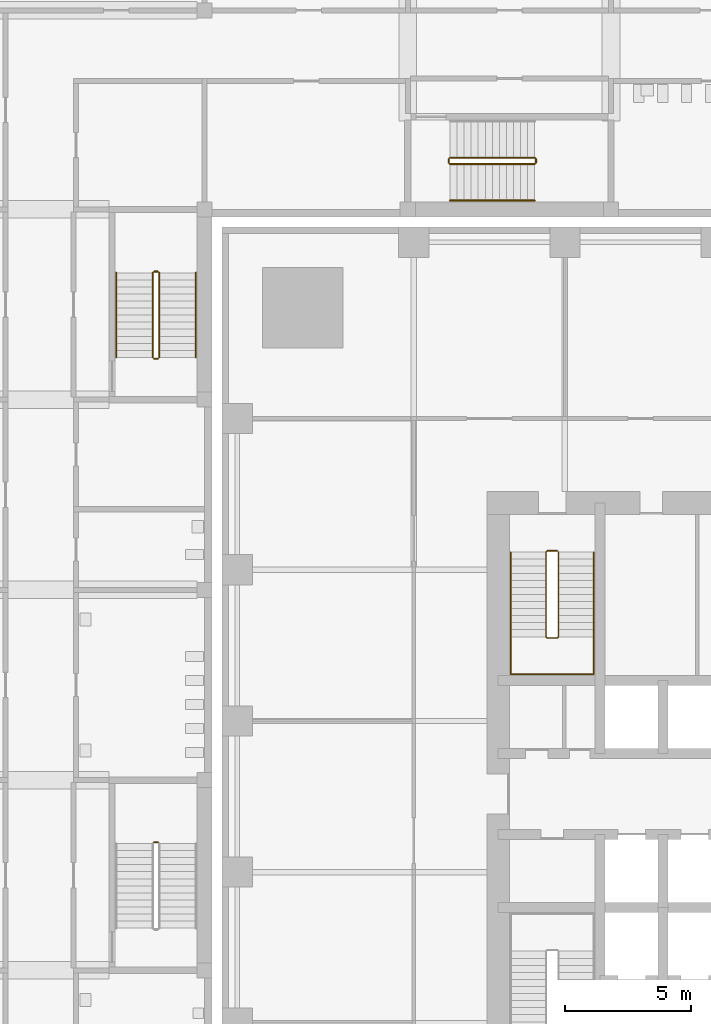
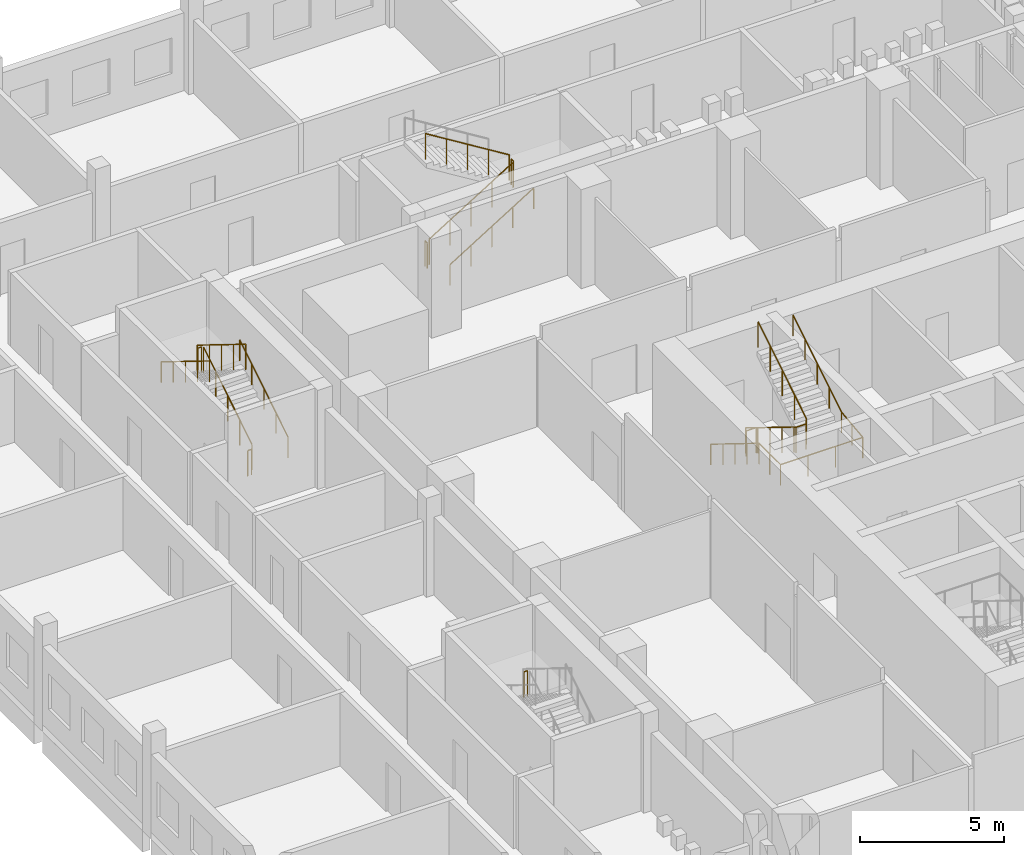
# One storey, part 22 of 25: 14 railings.
"""IFC4 building model written with IfcOpenShell, lengths in metres."""

from ifc_helpers import new_model, si_unit, direction, frame, origin, origin_2d, place, context, subcontext, project, spatial, circle, extrude, material, type_object, element, save


model = new_model("IFC4")

# Units and contexts
model_context = context("Model", 3, precision=1e-05, world=origin(), true_north=direction((0.0, 1.0)))
body_context = subcontext(model_context, "Body", "Model", "MODEL_VIEW")
ifc_project = project(units=[si_unit("LENGTHUNIT", "METRE"), si_unit("AREAUNIT", "SQUARE_METRE"), si_unit("VOLUMEUNIT", "CUBIC_METRE"), si_unit("PLANEANGLEUNIT", "RADIAN"), si_unit("MASSUNIT", "GRAM", prefix="KILO")], contexts=[model_context])

# Site, building, storey
site_placement = place(None, origin())
site = spatial("IfcSite", under=ifc_project, at=site_placement, CompositionType="ELEMENT")
building_placement = place(site_placement, origin())
building = spatial("IfcBuilding", under=site, at=building_placement, Name="Amberfall Residences", CompositionType="ELEMENT")
storey_placement = place(building_placement, frame((0.0, 0.0, 14.5)))
storey = spatial("IfcBuildingStorey", under=building, at=storey_placement, Name="L03", CompositionType="ELEMENT", Elevation=14.5)

# Railings
ifc_material_1 = material(Name="Stainless steel", Category="steel")
railing_type_1 = type_object("IfcRailingType", Name="School stair guard 1100", PredefinedType="GUARDRAIL", material=ifc_material_1)
railing_1_placement = place(storey_placement, frame((49.449951171875, 43.5849609375, 2.25)))
element("IfcRailing", 1, at=railing_1_placement, inside=storey, type_object=railing_type_1, Name="L03 SS2 stair guard 2", PredefinedType="GUARDRAIL", context=body_context, shape_type="SweptSolid", body=[
    extrude(circle(Radius=0.02392578125, at=origin_2d()), frame((0.0, 0.0, 1.076171875), z_axis=(-1.0, 0.0, 0.0), x_axis=(0.0, -1.0, 0.0)), (0.0, 0.0, 1.0), 0.14990234375),
    extrude(circle(Radius=0.02099609375, at=origin_2d()), origin(), (0.0, 0.0, 1.0), 1.052001953125),
    extrude(circle(Radius=0.02099609375, at=origin_2d()), frame((-0.14990234375, 0.0, 0.0)), (0.0, 0.0, 1.0), 1.052001953125),
])
railing_2_placement = place(storey_placement, frame((49.5, 62.824951171875, 0.173095703125)))
element("IfcRailing", 2, at=railing_2_placement, inside=storey, type_object=railing_type_1, Name="L03 SS3 stair guard 1", PredefinedType="GUARDRAIL", context=body_context, shape_type="SweptSolid", body=[
    extrude(circle(Radius=0.02392578125, at=origin_2d()), frame((0.0, 0.0, 1.076171875), z_axis=(0.0, 0.850623216509, 0.525775754039), x_axis=(-1.0, 0.0, 0.0)), (0.0, 0.0, 1.0), 3.9501953125),
    extrude(circle(Radius=0.02099609375, at=origin_2d()), origin(), (0.0, 0.0, 1.0), 1.052001953125),
    extrude(circle(Radius=0.02099609375, at=origin_2d()), frame((0.0, 0.840087890625, 0.519287109375)), (0.0, 0.0, 1.0), 1.052001953125),
    extrude(circle(Radius=0.02099609375, at=origin_2d()), frame((0.0, 1.68017578125, 1.03857421875)), (0.0, 0.0, 1.0), 1.052001953125),
    extrude(circle(Radius=0.02099609375, at=origin_2d()), frame((0.0, 2.52001953125, 1.5576171875)), (0.0, 0.0, 1.0), 1.052001953125),
    extrude(circle(Radius=0.02099609375, at=origin_2d()), frame((0.0, 3.360107421875, 2.076904296875)), (0.0, 0.0, 1.0), 1.052001953125),
])
railing_3_placement = place(storey_placement, frame((49.449951171875, 66.235107421875, 2.25)))
element("IfcRailing", 3, at=railing_3_placement, inside=storey, type_object=railing_type_1, Name="L03 SS3 stair guard 2", PredefinedType="GUARDRAIL", context=body_context, shape_type="SweptSolid", body=[
    extrude(circle(Radius=0.02392578125, at=origin_2d()), frame((0.0, 0.0, 1.076171875), z_axis=(-1.0, 0.0, 0.0), x_axis=(0.0, -1.0, 0.0)), (0.0, 0.0, 1.0), 0.14990234375),
    extrude(circle(Radius=0.02099609375, at=origin_2d()), origin(), (0.0, 0.0, 1.0), 1.052001953125),
    extrude(circle(Radius=0.02099609375, at=origin_2d()), frame((-0.14990234375, 0.0, 0.0)), (0.0, 0.0, 1.0), 1.052001953125),
])
railing_4_placement = place(storey_placement, frame((49.25, 66.18505859375, 2.423095703125)))
element("IfcRailing", 4, at=railing_4_placement, inside=storey, type_object=railing_type_1, Name="L03 SS3 stair guard 3", PredefinedType="GUARDRAIL", context=body_context, shape_type="SweptSolid", body=[
    extrude(circle(Radius=0.02392578125, at=origin_2d()), frame((0.0, 0.0, 1.076171875), z_axis=(0.0, -0.850623216509, 0.525775754039), x_axis=(1.0, 0.0, 0.0)), (0.0, 0.0, 1.0), 3.9501953125),
    extrude(circle(Radius=0.02099609375, at=origin_2d()), origin(), (0.0, 0.0, 1.0), 1.052001953125),
    extrude(circle(Radius=0.02099609375, at=origin_2d()), frame((0.0, -0.840087890625, 0.519287109375)), (0.0, 0.0, 1.0), 1.052001953125),
    extrude(circle(Radius=0.02099609375, at=origin_2d()), frame((0.0, -1.68017578125, 1.03857421875)), (0.0, 0.0, 1.0), 1.052001953125),
    extrude(circle(Radius=0.02099609375, at=origin_2d()), frame((0.0, -2.52001953125, 1.5576171875)), (0.0, 0.0, 1.0), 1.052001953125),
    extrude(circle(Radius=0.02099609375, at=origin_2d()), frame((0.0, -3.360107421875, 2.076904296875)), (0.0, 0.0, 1.0), 1.052001953125),
])
railing_5_placement = place(storey_placement, frame((49.449951171875, 62.77490234375, 0.0)))
element("IfcRailing", 5, at=railing_5_placement, inside=storey, type_object=railing_type_1, Name="L03 SS3 stair guard 4", PredefinedType="GUARDRAIL", context=body_context, shape_type="SweptSolid", body=[
    extrude(circle(Radius=0.02392578125, at=origin_2d()), frame((0.0, 0.0, 1.076171875), z_axis=(-1.0, 0.0, 0.0), x_axis=(0.0, -1.0, 0.0)), (0.0, 0.0, 1.0), 0.14990234375),
    extrude(circle(Radius=0.02099609375, at=origin_2d()), origin(), (0.0, 0.0, 1.0), 1.052001953125),
    extrude(circle(Radius=0.02099609375, at=origin_2d()), frame((-0.14990234375, 0.0, 0.0)), (0.0, 0.0, 1.0), 1.052001953125),
])
railing_6_placement = place(storey_placement, frame((61.0419921875, 70.5, 0.173095703125)))
element("IfcRailing", 6, at=railing_6_placement, inside=storey, type_object=railing_type_1, Name="L03 SS4 stair guard 1", PredefinedType="GUARDRAIL", context=body_context, shape_type="SweptSolid", body=[
    extrude(circle(Radius=0.02392578125, at=origin_2d()), frame((0.0, 0.0, 1.076171875), z_axis=(0.850623216509, 0.0, 0.525775754039), x_axis=(0.0, 1.0, 0.0)), (0.0, 0.0, 1.0), 3.9501953125),
    extrude(circle(Radius=0.02099609375, at=origin_2d()), origin(), (0.0, 0.0, 1.0), 1.052001953125),
    extrude(circle(Radius=0.02099609375, at=origin_2d()), frame((0.840087890625, 0.0, 0.519287109375)), (0.0, 0.0, 1.0), 1.052001953125),
    extrude(circle(Radius=0.02099609375, at=origin_2d()), frame((1.68017578125, 0.0, 1.03857421875)), (0.0, 0.0, 1.0), 1.052001953125),
    extrude(circle(Radius=0.02099609375, at=origin_2d()), frame((2.52001953125, 0.0, 1.5576171875)), (0.0, 0.0, 1.0), 1.052001953125),
    extrude(circle(Radius=0.02099609375, at=origin_2d()), frame((3.360107421875, 0.0, 2.076904296875)), (0.0, 0.0, 1.0), 1.052001953125),
])
railing_7_placement = place(storey_placement, frame((64.451904296875, 70.550048828125, 2.25)))
element("IfcRailing", 7, at=railing_7_placement, inside=storey, type_object=railing_type_1, Name="L03 SS4 stair guard 2", PredefinedType="GUARDRAIL", context=body_context, shape_type="SweptSolid", body=[
    extrude(circle(Radius=0.02392578125, at=origin_2d()), frame((0.0, 0.0, 1.076171875), z_axis=(0.0, 1.0, 0.0), x_axis=(-1.0, 0.0, 0.0)), (0.0, 0.0, 1.0), 0.14990234375),
    extrude(circle(Radius=0.02099609375, at=origin_2d()), origin(), (0.0, 0.0, 1.0), 1.052001953125),
    extrude(circle(Radius=0.02099609375, at=origin_2d()), frame((0.0, 0.14990234375, 0.0)), (0.0, 0.0, 1.0), 1.052001953125),
])
railing_8_placement = place(storey_placement, frame((64.402099609375, 70.75, 2.423095703125)))
element("IfcRailing", 8, at=railing_8_placement, inside=storey, type_object=railing_type_1, Name="L03 SS4 stair guard 3", PredefinedType="GUARDRAIL", context=body_context, shape_type="SweptSolid", body=[
    extrude(circle(Radius=0.02392578125, at=origin_2d()), frame((0.0, 0.0, 1.076171875), z_axis=(-0.850623216509, 0.0, 0.525775754039), x_axis=(0.0, -1.0, 0.0)), (0.0, 0.0, 1.0), 3.9501953125),
    extrude(circle(Radius=0.02099609375, at=origin_2d()), origin(), (0.0, 0.0, 1.0), 1.052001953125),
    extrude(circle(Radius=0.02099609375, at=origin_2d()), frame((-0.840087890625, 0.0, 0.519287109375)), (0.0, 0.0, 1.0), 1.052001953125),
    extrude(circle(Radius=0.02099609375, at=origin_2d()), frame((-1.68017578125, 0.0, 1.03857421875)), (0.0, 0.0, 1.0), 1.052001953125),
    extrude(circle(Radius=0.02099609375, at=origin_2d()), frame((-2.52001953125, 0.0, 1.5576171875)), (0.0, 0.0, 1.0), 1.052001953125),
    extrude(circle(Radius=0.02099609375, at=origin_2d()), frame((-3.360107421875, 0.0, 2.076904296875)), (0.0, 0.0, 1.0), 1.052001953125),
])
railing_9_placement = place(storey_placement, frame((60.991943359375, 70.550048828125, 0.0)))
element("IfcRailing", 9, at=railing_9_placement, inside=storey, type_object=railing_type_1, Name="L03 SS4 stair guard 4", PredefinedType="GUARDRAIL", context=body_context, shape_type="SweptSolid", body=[
    extrude(circle(Radius=0.02392578125, at=origin_2d()), frame((0.0, 0.0, 1.076171875), z_axis=(0.0, 1.0, 0.0), x_axis=(-1.0, 0.0, 0.0)), (0.0, 0.0, 1.0), 0.14990234375),
    extrude(circle(Radius=0.02099609375, at=origin_2d()), origin(), (0.0, 0.0, 1.0), 1.052001953125),
    extrude(circle(Radius=0.02099609375, at=origin_2d()), frame((0.0, 0.14990234375, 0.0)), (0.0, 0.0, 1.0), 1.052001953125),
])
railing_type_2 = type_object("IfcRailingType", Name="School stair handrail", PredefinedType="HANDRAIL", material=ifc_material_1)
railing_10_placement = place(storey_placement, frame((50.949951171875, 62.824951171875, 0.173095703125)))
element("IfcRailing", 10, at=railing_10_placement, inside=storey, type_object=railing_type_2, Name="L03 SS3 stair handrail 1", PredefinedType="HANDRAIL", context=body_context, shape_type="SweptSolid", body=[
    extrude(circle(Radius=0.02392578125, at=origin_2d()), frame((0.0, 0.0, 0.8759765625), z_axis=(0.0, 0.850623216509, 0.525775754039), x_axis=(-1.0, 0.0, 0.0)), (0.0, 0.0, 1.0), 3.9501953125),
    extrude(circle(Radius=0.02099609375, at=origin_2d()), origin(), (0.0, 0.0, 1.0), 0.851806640625),
    extrude(circle(Radius=0.02099609375, at=origin_2d()), frame((0.0, 0.840087890625, 0.519287109375)), (0.0, 0.0, 1.0), 0.851806640625),
    extrude(circle(Radius=0.02099609375, at=origin_2d()), frame((0.0, 1.68017578125, 1.03857421875)), (0.0, 0.0, 1.0), 0.851806640625),
    extrude(circle(Radius=0.02099609375, at=origin_2d()), frame((0.0, 2.52001953125, 1.5576171875)), (0.0, 0.0, 1.0), 0.851806640625),
    extrude(circle(Radius=0.02099609375, at=origin_2d()), frame((0.0, 3.360107421875, 2.076904296875)), (0.0, 0.0, 1.0), 0.851806640625),
])
railing_11_placement = place(storey_placement, frame((47.800048828125, 66.18505859375, 2.423095703125)))
element("IfcRailing", 11, at=railing_11_placement, inside=storey, type_object=railing_type_2, Name="L03 SS3 stair handrail 2", PredefinedType="HANDRAIL", context=body_context, shape_type="SweptSolid", body=[
    extrude(circle(Radius=0.02392578125, at=origin_2d()), frame((0.0, 0.0, 0.8759765625), z_axis=(0.0, -0.850623216509, 0.525775754039), x_axis=(1.0, 0.0, 0.0)), (0.0, 0.0, 1.0), 3.9501953125),
    extrude(circle(Radius=0.02099609375, at=origin_2d()), origin(), (0.0, 0.0, 1.0), 0.851806640625),
    extrude(circle(Radius=0.02099609375, at=origin_2d()), frame((0.0, -0.840087890625, 0.519287109375)), (0.0, 0.0, 1.0), 0.851806640625),
    extrude(circle(Radius=0.02099609375, at=origin_2d()), frame((0.0, -1.68017578125, 1.03857421875)), (0.0, 0.0, 1.0), 0.851806640625),
    extrude(circle(Radius=0.02099609375, at=origin_2d()), frame((0.0, -2.52001953125, 1.5576171875)), (0.0, 0.0, 1.0), 0.851806640625),
    extrude(circle(Radius=0.02099609375, at=origin_2d()), frame((0.0, -3.360107421875, 2.076904296875)), (0.0, 0.0, 1.0), 0.851806640625),
])
railing_12_placement = place(storey_placement, frame((61.0419921875, 69.050048828125, 0.173095703125)))
element("IfcRailing", 12, at=railing_12_placement, inside=storey, type_object=railing_type_2, Name="L03 SS4 stair handrail 1", PredefinedType="HANDRAIL", context=body_context, shape_type="SweptSolid", body=[
    extrude(circle(Radius=0.02392578125, at=origin_2d()), frame((0.0, 0.0, 0.8759765625), z_axis=(0.850623216509, 0.0, 0.525775754039), x_axis=(0.0, 1.0, 0.0)), (0.0, 0.0, 1.0), 3.9501953125),
    extrude(circle(Radius=0.02099609375, at=origin_2d()), origin(), (0.0, 0.0, 1.0), 0.851806640625),
    extrude(circle(Radius=0.02099609375, at=origin_2d()), frame((0.840087890625, 0.0, 0.519287109375)), (0.0, 0.0, 1.0), 0.851806640625),
    extrude(circle(Radius=0.02099609375, at=origin_2d()), frame((1.68017578125, 0.0, 1.03857421875)), (0.0, 0.0, 1.0), 0.851806640625),
    extrude(circle(Radius=0.02099609375, at=origin_2d()), frame((2.52001953125, 0.0, 1.5576171875)), (0.0, 0.0, 1.0), 0.851806640625),
    extrude(circle(Radius=0.02099609375, at=origin_2d()), frame((3.360107421875, 0.0, 2.076904296875)), (0.0, 0.0, 1.0), 0.851806640625),
])
ifc_material_2 = material(Name="Stainless steel 316", Category="steel")
railing_type_3 = type_object("IfcRailingType", Name="Stair guard 1100", PredefinedType="GUARDRAIL", material=ifc_material_2)
railing_13_placement = place(storey_placement, frame((65.300048828125, 55.14990234375, 0.0)))
element("IfcRailing", 13, at=railing_13_placement, inside=storey, type_object=railing_type_3, Name="L03 stair 4 guard", PredefinedType="GUARDRAIL", context=body_context, shape_type="SweptSolid", body=[
    extrude(circle(Radius=0.02392578125, at=origin_2d()), frame((0.0, 0.0, 1.076171875), z_axis=(-1.0, 0.0, 0.0), x_axis=(0.0, -1.0, 0.0)), (0.0, 0.0, 1.0), 0.400146484375),
    extrude(circle(Radius=0.02392578125, at=origin_2d()), frame((-0.400146484375, 0.0, 1.076171875), z_axis=(-0.26651005591, -0.26651005591, 0.926253086471), x_axis=(0.707106781187, -0.707106781187, 0.0)), (0.0, 0.0, 1.0), 0.186767578125),
    extrude(circle(Radius=0.02392578125, at=origin_2d()), frame((-0.449951171875, -0.0498046875, 1.2490234375), z_axis=(0.0, -0.850623216509, 0.525775754039), x_axis=(1.0, 0.0, 0.0)), (0.0, 0.0, 1.0), 3.9501953125),
    extrude(circle(Radius=0.02392578125, at=origin_2d()), frame((-0.449951171875, -3.409912109375, 3.326171875), z_axis=(0.705375805398, -0.708833529934, 0.0), x_axis=(0.708833529934, 0.705375805398, 0.0)), (0.0, 0.0, 1.0), 0.070556640625),
    extrude(circle(Radius=0.02392578125, at=origin_2d()), frame((-0.400146484375, -3.4599609375, 3.326171875), z_axis=(1.0, 0.0, 0.0), x_axis=(0.0, 1.0, 0.0)), (0.0, 0.0, 1.0), 0.400146484375),
    extrude(circle(Radius=0.02392578125, at=origin_2d()), frame((0.0, -3.4599609375, 3.326171875), z_axis=(0.267629722418, 0.267629722418, 0.925607186314), x_axis=(-0.707106781187, 0.707106781187, 0.0)), (0.0, 0.0, 1.0), 0.18701171875),
    extrude(circle(Radius=0.02392578125, at=origin_2d()), frame((0.050048828125, -3.409912109375, 3.4990234375), z_axis=(0.0, 0.850623216509, 0.525775754039), x_axis=(-1.0, 0.0, 0.0)), (0.0, 0.0, 1.0), 3.9501953125),
    extrude(circle(Radius=0.02099609375, at=origin_2d()), origin(), (0.0, 0.0, 1.0), 1.052001953125),
    extrude(circle(Radius=0.02099609375, at=origin_2d()), frame((-0.400146484375, 0.0, 0.0)), (0.0, 0.0, 1.0), 1.052001953125),
    extrude(circle(Radius=0.02099609375, at=origin_2d()), frame((-0.449951171875, -0.0498046875, 0.173095703125)), (0.0, 0.0, 1.0), 1.052001953125),
    extrude(circle(Radius=0.02099609375, at=origin_2d()), frame((-0.449951171875, -0.889892578125, 0.6923828125)), (0.0, 0.0, 1.0), 1.052001953125),
    extrude(circle(Radius=0.02099609375, at=origin_2d()), frame((-0.449951171875, -1.72998046875, 1.21142578125)), (0.0, 0.0, 1.0), 1.052001953125),
    extrude(circle(Radius=0.02099609375, at=origin_2d()), frame((-0.449951171875, -2.56982421875, 1.730712890625)), (0.0, 0.0, 1.0), 1.052001953125),
    extrude(circle(Radius=0.02099609375, at=origin_2d()), frame((-0.449951171875, -3.409912109375, 2.25)), (0.0, 0.0, 1.0), 1.052001953125),
    extrude(circle(Radius=0.02099609375, at=origin_2d()), frame((-0.400146484375, -3.4599609375, 2.25)), (0.0, 0.0, 1.0), 1.052001953125),
    extrude(circle(Radius=0.02099609375, at=origin_2d()), frame((0.0, -3.4599609375, 2.25)), (0.0, 0.0, 1.0), 1.052001953125),
    extrude(circle(Radius=0.02099609375, at=origin_2d()), frame((0.050048828125, -3.409912109375, 2.423095703125)), (0.0, 0.0, 1.0), 1.052001953125),
    extrude(circle(Radius=0.02099609375, at=origin_2d()), frame((0.050048828125, -2.56982421875, 2.9423828125)), (0.0, 0.0, 1.0), 1.052001953125),
    extrude(circle(Radius=0.02099609375, at=origin_2d()), frame((0.050048828125, -1.72998046875, 3.46142578125)), (0.0, 0.0, 1.0), 1.052001953125),
    extrude(circle(Radius=0.02099609375, at=origin_2d()), frame((0.050048828125, -0.889892578125, 3.980712890625)), (0.0, 0.0, 1.0), 1.052001953125),
    extrude(circle(Radius=0.02099609375, at=origin_2d()), frame((0.050048828125, -0.0498046875, 4.5)), (0.0, 0.0, 1.0), 1.052001953125),
])
railing_type_4 = type_object("IfcRailingType", Name="Stair handrail 900", PredefinedType="HANDRAIL", material=ifc_material_2)
railing_14_placement = place(storey_placement, frame((63.449951171875, 55.10009765625, 0.173095703125)))
element("IfcRailing", 14, at=railing_14_placement, inside=storey, type_object=railing_type_4, Name="L03 stair 4 handrail", PredefinedType="HANDRAIL", context=body_context, shape_type="SweptSolid", body=[
    extrude(circle(Radius=0.02392578125, at=origin_2d()), frame((0.0, 0.0, 0.8759765625), z_axis=(0.0, -0.850623216509, 0.525775754039), x_axis=(1.0, 0.0, 0.0)), (0.0, 0.0, 1.0), 3.9501953125),
    extrude(circle(Radius=0.02392578125, at=origin_2d()), frame((0.0, -3.360107421875, 2.95263671875), z_axis=(0.0, -1.0, 0.0), x_axis=(1.0, 0.0, 0.0)), (0.0, 0.0, 1.0), 1.489990234375),
    extrude(circle(Radius=0.02392578125, at=origin_2d()), frame((0.0, -4.85009765625, 2.95263671875), z_axis=(1.0, 0.0, 0.0), x_axis=(0.0, 1.0, 0.0)), (0.0, 0.0, 1.0), 3.300048828125),
    extrude(circle(Radius=0.02392578125, at=origin_2d()), frame((3.300048828125, -4.85009765625, 2.95263671875), z_axis=(0.0, 0.993319533971, 0.115396288642), x_axis=(-1.0, 0.0, 0.0)), (0.0, 0.0, 1.0), 1.5),
    extrude(circle(Radius=0.02392578125, at=origin_2d()), frame((3.300048828125, -3.360107421875, 3.1259765625), z_axis=(0.0, 0.850623216509, 0.525775754039), x_axis=(-1.0, 0.0, 0.0)), (0.0, 0.0, 1.0), 3.9501953125),
    extrude(circle(Radius=0.02099609375, at=origin_2d()), origin(), (0.0, 0.0, 1.0), 0.851806640625),
    extrude(circle(Radius=0.02099609375, at=origin_2d()), frame((0.0, -0.840087890625, 0.519287109375)), (0.0, 0.0, 1.0), 0.851806640625),
    extrude(circle(Radius=0.02099609375, at=origin_2d()), frame((0.0, -1.68017578125, 1.03857421875)), (0.0, 0.0, 1.0), 0.851806640625),
    extrude(circle(Radius=0.02099609375, at=origin_2d()), frame((0.0, -2.52001953125, 1.5576171875)), (0.0, 0.0, 1.0), 0.851806640625),
    extrude(circle(Radius=0.02099609375, at=origin_2d()), frame((0.0, -3.360107421875, 2.076904296875)), (0.0, 0.0, 1.0), 0.851806640625),
    extrude(circle(Radius=0.02099609375, at=origin_2d()), frame((0.0, -4.10498046875, 2.076904296875)), (0.0, 0.0, 1.0), 0.851806640625),
    extrude(circle(Radius=0.02099609375, at=origin_2d()), frame((0.0, -4.85009765625, 2.076904296875)), (0.0, 0.0, 1.0), 0.851806640625),
    extrude(circle(Radius=0.02099609375, at=origin_2d()), frame((1.10009765625, -4.85009765625, 2.076904296875)), (0.0, 0.0, 1.0), 0.851806640625),
    extrude(circle(Radius=0.02099609375, at=origin_2d()), frame((2.199951171875, -4.85009765625, 2.076904296875)), (0.0, 0.0, 1.0), 0.851806640625),
    extrude(circle(Radius=0.02099609375, at=origin_2d()), frame((3.300048828125, -4.85009765625, 2.076904296875)), (0.0, 0.0, 1.0), 0.851806640625),
    extrude(circle(Radius=0.02099609375, at=origin_2d()), frame((3.300048828125, -4.10498046875, 2.16357421875)), (0.0, 0.0, 1.0), 0.851806640625),
    extrude(circle(Radius=0.02099609375, at=origin_2d()), frame((3.300048828125, -3.360107421875, 2.25)), (0.0, 0.0, 1.0), 0.851806640625),
    extrude(circle(Radius=0.02099609375, at=origin_2d()), frame((3.300048828125, -2.52001953125, 2.769287109375)), (0.0, 0.0, 1.0), 0.851806640625),
    extrude(circle(Radius=0.02099609375, at=origin_2d()), frame((3.300048828125, -1.68017578125, 3.28857421875)), (0.0, 0.0, 1.0), 0.851806640625),
    extrude(circle(Radius=0.02099609375, at=origin_2d()), frame((3.300048828125, -0.840087890625, 3.8076171875)), (0.0, 0.0, 1.0), 0.851806640625),
    extrude(circle(Radius=0.02099609375, at=origin_2d()), frame((3.300048828125, 0.0, 4.326904296875)), (0.0, 0.0, 1.0), 0.851806640625),
])

save(model, "model.ifc")
